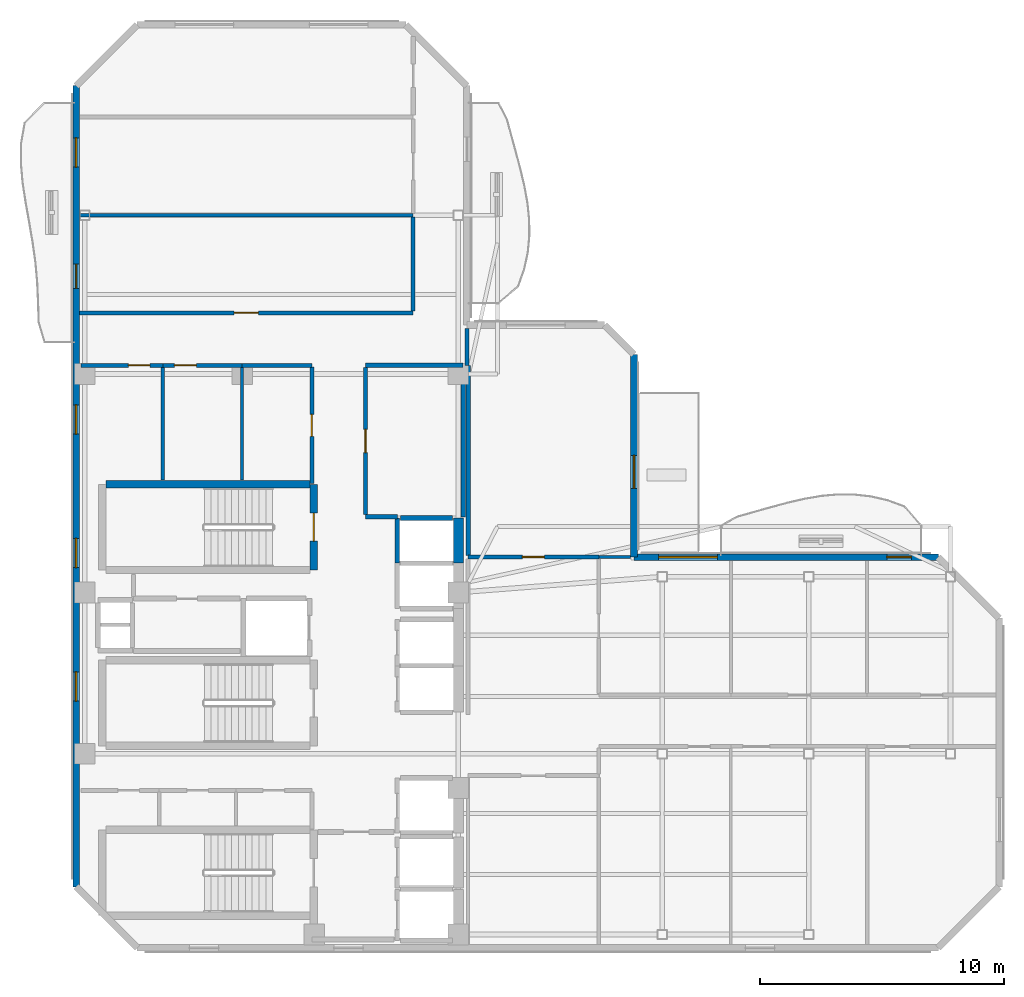
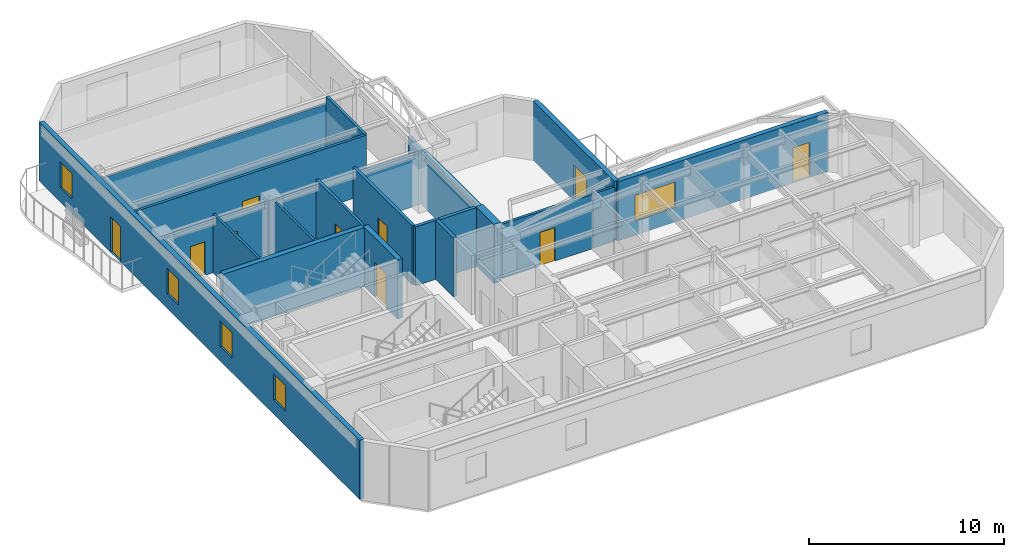
# One storey, part 4 of 8: 25 walls, 10 doors, 5 windows, 15 openings.
"""IFC4 building model written with IfcOpenShell, lengths in metres."""

from ifc_helpers import new_model, si_unit, direction, frame, frame_2d, origin, place, context, subcontext, project, spatial, rectangle, extrude, material, layer, layer_set, type_object, element, fill, save


model = new_model("IFC4")

# Units and contexts
model_context = context("Model", 3, precision=1e-05, world=origin(), true_north=direction((0.0, 1.0)))
body_context = subcontext(model_context, "Body", "Model", "MODEL_VIEW")
ifc_project = project(units=[si_unit("LENGTHUNIT", "METRE"), si_unit("AREAUNIT", "SQUARE_METRE"), si_unit("VOLUMEUNIT", "CUBIC_METRE"), si_unit("PLANEANGLEUNIT", "RADIAN"), si_unit("MASSUNIT", "GRAM", prefix="KILO")], contexts=[model_context])

# Site, building, storey
site_placement = place(None, origin())
site = spatial("IfcSite", under=ifc_project, at=site_placement, CompositionType="ELEMENT")
building_placement = place(site_placement, origin())
building = spatial("IfcBuilding", under=site, at=building_placement, Name="Mawjaban Terraces University", CompositionType="ELEMENT")
storey_placement = place(building_placement, frame((0.0, 0.0, 248.199951171875)))
storey = spatial("IfcBuildingStorey", under=building, at=storey_placement, Name="L60", CompositionType="ELEMENT", Elevation=248.199951171875)

# Walls
ifc_material_1 = material(Name="Acoustic masonry blockwork", Category="masonry")
ifc_layer_1 = layer(ifc_material_1, 0.179931640625)
ifc_layer_set_1 = layer_set([ifc_layer_1], Name="Acoustic masonry blockwork")
wall_type_1 = type_object("IfcWallType", Name="AcousticStudioWall_180", PredefinedType="PARTITIONING", material=ifc_layer_set_1)
wall_1_placement = place(storey_placement, frame((33.85009765625, 17.64990234375, 0.0), z_axis=(0.0, 0.0, 1.0), x_axis=(1.0, 0.0, 0.0)))
element("IfcWall", 1, at=wall_1_placement, inside=storey, type_object=wall_type_1, Name="L60 Graduate Research Collaboration Studio Partition 10", PredefinedType="PARTITIONING", context=body_context, shape_type="SweptSolid", body=[
    extrude(rectangle(XDim=1.2998046875, YDim=0.179931640625, at=frame_2d((0.64990234375, 0.0))), origin(), (0.0, 0.0, 1.0), 3.68994140625),
])
wall_2_placement = place(storey_placement, frame((37.85009765625, 23.85009765625, 0.0), z_axis=(0.0, 0.0, 1.0), x_axis=(-1.0, 0.0, 0.0)))
element("IfcWall", 2, at=wall_2_placement, inside=storey, type_object=wall_type_1, Name="L60 Graduate Research Collaboration Studio Partition 15", PredefinedType="PARTITIONING", context=body_context, shape_type="SweptSolid", body=[
    extrude(rectangle(XDim=4.0, YDim=0.179931640625, at=frame_2d((2.0, 0.0))), origin(), (0.0, 0.0, 1.0), 3.220947265625),
])

# Wall, opening, door
wall_3_placement = place(storey_placement, frame((33.85009765625, 17.735107421875, 0.0), z_axis=(0.0, 0.0, 1.0), x_axis=(0.0, 1.0, 0.0)))
wall_3 = element("IfcWall", 3, at=wall_3_placement, inside=storey, type_object=wall_type_1, Name="L60 Core North Lift Lobby Partition 32", PredefinedType="PARTITIONING", context=body_context, shape_type="SweptSolid", body=[
    extrude(rectangle(XDim=6.02978515625, YDim=0.179931640625, at=frame_2d((3.014892578125, 0.0))), origin(), (0.0, 0.0, 1.0), 3.68994140625),
])
opening_1_placement = place(wall_3_placement, frame((2.5400390625, 0.0, 0.0)))
opening_1 = element("IfcOpeningElement", 4, at=opening_1_placement, cuts=wall_3, Name="Opening ID-095", PredefinedType="OPENING", context=body_context, shape_type="SweptSolid", body=[
    extrude(rectangle(XDim=0.949951171875, YDim=2.10009765625, at=frame_2d((0.47509765625, 1.050048828125))), frame((0.0, 0.099853515625, 0.0), z_axis=(0.0, -1.0, 0.0), x_axis=(1.0, 0.0, 0.0)), (0.0, 0.0, 1.0), 0.199951171875),
])
ifc_material_2 = material(Name="Powder-coated steel frame and solid acoustic timber leaf", Category="steel")
door_type_1 = type_object("IfcDoorType", Name="StudioDoor_950x2100", OperationType="NOTDEFINED", PredefinedType="DOOR", material=ifc_material_2)
door_1_placement = place(opening_1_placement, origin())
door_1 = element("IfcDoor", 5, at=door_1_placement, inside=storey, type_object=door_type_1, Name="L60 Graduate Research Collaboration Studio Door", OperationType="SINGLE_SWING_RIGHT", OverallHeight=2.10009765625, OverallWidth=0.949951171875, PredefinedType="DOOR", context=body_context, shape_type="SweptSolid", body=[
    extrude(rectangle(XDim=0.949951171875, YDim=2.10009765625, at=frame_2d((0.47509765625, 1.050048828125))), frame((0.0, 0.02490234375, 0.0), z_axis=(0.0, -1.0, 0.0), x_axis=(1.0, 0.0, 0.0)), (0.0, 0.0, 1.0), 0.050048828125),
])
fill(opening_1, door_1)

# Walls
wall_4_placement = place(storey_placement, frame((37.85009765625, 17.64990234375, 0.0), z_axis=(0.0, 0.0, 1.0), x_axis=(0.0, 1.0, 0.0)))
element("IfcWall", 6, at=wall_4_placement, inside=storey, type_object=wall_type_1, Name="L60 Graduate Research Collaboration Studio Partition 36", PredefinedType="PARTITIONING", context=body_context, shape_type="SweptSolid", body=[
    extrude(rectangle(XDim=6.114990234375, YDim=0.179931640625, at=frame_2d((3.0576171875, 0.0))), origin(), (0.0, 0.0, 1.0), 3.220947265625),
])
wall_5_placement = place(storey_placement, frame((38.050048828125, 23.85009765625, 0.0), z_axis=(0.0, 0.0, 1.0), x_axis=(0.0, -1.0, 0.0)))
element("IfcWall", 7, at=wall_5_placement, inside=storey, type_object=wall_type_1, Name="L60 Terrace Collaborative Study Room Partition 40", PredefinedType="PARTITIONING", context=body_context, shape_type="SweptSolid", body=[
    extrude(rectangle(XDim=7.775146484375, YDim=0.179931640625, at=frame_2d((3.8876953125, 0.0))), origin(), (0.0, 0.0, 1.0), 3.220947265625),
])
ifc_material_3 = material(Name="Concrete C50/60", Category="concrete")
ifc_layer_2 = layer(ifc_material_3, 0.419921875)
ifc_layer_set_2 = layer_set([ifc_layer_2], Name="Concrete C50/60")
wall_type_2 = type_object("IfcWallType", Name="CoreShearWall_420", PredefinedType="SHEAR", material=ifc_layer_set_2)
wall_6_placement = place(storey_placement, frame((37.659912109375, 15.75, 0.0), z_axis=(0.0, 0.0, 1.0), x_axis=(0.0, 1.0, 0.0)))
element("IfcWall", 8, at=wall_6_placement, inside=storey, type_object=wall_type_2, Name="L60 Lift OL-2 Hoistway Wall East", PredefinedType="SHEAR", context=body_context, shape_type="SweptSolid", body=[
    extrude(rectangle(XDim=1.85009765625, YDim=0.419921875, at=frame_2d((0.925048828125, 0.0))), origin(), (0.0, 0.0, 1.0), 3.68994140625),
])

# Wall, opening, door
ifc_material_4 = material(Name="Fire-rated gypsum board on steel stud", Category="steel")
ifc_layer_3 = layer(ifc_material_4, 0.159912109375)
ifc_layer_set_3 = layer_set([ifc_layer_3], Name="Fire-rated gypsum board on steel stud")
wall_type_3 = type_object("IfcWallType", Name="CorridorPartition_160", PredefinedType="PARTITIONING", material=ifc_layer_set_3)
wall_7_placement = place(storey_placement, frame((25.550048828125, 23.85009765625, 0.0), z_axis=(0.0, 0.0, 1.0), x_axis=(-1.0, 0.0, 0.0)))
wall_7 = element("IfcWall", 9, at=wall_7_placement, inside=storey, type_object=wall_type_3, Name="L60 Ablution Room Partition 5", PredefinedType="PARTITIONING", context=body_context, shape_type="SweptSolid", body=[
    extrude(rectangle(XDim=3.35009765625, YDim=0.159912109375, at=frame_2d((1.675048828125, 0.0))), origin(), (0.0, 0.0, 1.0), 3.220947265625),
])
opening_2_placement = place(wall_7_placement, frame((0.534912109375, 0.0, 0.0)))
opening_2 = element("IfcOpeningElement", 10, at=opening_2_placement, cuts=wall_7, Name="Opening ID-088", PredefinedType="OPENING", context=body_context, shape_type="SweptSolid", body=[
    extrude(rectangle(XDim=0.8798828125, YDim=2.10009765625, at=frame_2d((0.43994140625, 1.050048828125))), frame((0.0, 0.08984375, 0.0), z_axis=(0.0, -1.0, 0.0), x_axis=(1.0, 0.0, 0.0)), (0.0, 0.0, 1.0), 0.179931640625),
])
door_type_2 = type_object("IfcDoorType", Name="ToiletDoor_880x2100", OperationType="NOTDEFINED", PredefinedType="DOOR", material=ifc_material_2)
door_2_placement = place(opening_2_placement, origin())
door_2 = element("IfcDoor", 11, at=door_2_placement, inside=storey, type_object=door_type_2, Name="L60 Ablution Room Door", OperationType="SINGLE_SWING_RIGHT", OverallHeight=2.10009765625, OverallWidth=0.8798828125, PredefinedType="DOOR", context=body_context, shape_type="SweptSolid", body=[
    extrude(rectangle(XDim=0.8798828125, YDim=2.10009765625, at=frame_2d((0.43994140625, 1.050048828125))), frame((0.0, 0.02490234375, 0.0), z_axis=(0.0, -1.0, 0.0), x_axis=(1.0, 0.0, 0.0)), (0.0, 0.0, 1.0), 0.050048828125),
])
fill(opening_2, door_2)

wall_8_placement = place(storey_placement, frame((28.800048828125, 23.85009765625, 0.0), z_axis=(0.0, 0.0, 1.0), x_axis=(-1.0, 0.0, 0.0)))
wall_8 = element("IfcWall", 12, at=wall_8_placement, inside=storey, type_object=wall_type_3, Name="L60 Cleaner Store Partition 7", PredefinedType="PARTITIONING", context=body_context, shape_type="SweptSolid", body=[
    extrude(rectangle(XDim=3.25, YDim=0.159912109375, at=frame_2d((1.625, 0.0))), origin(), (0.0, 0.0, 1.0), 3.220947265625),
])
opening_3_placement = place(wall_8_placement, frame((1.875, 0.0, 0.0)))
opening_3 = element("IfcOpeningElement", 13, at=opening_3_placement, cuts=wall_8, Name="Opening ID-090", PredefinedType="OPENING", context=body_context, shape_type="SweptSolid", body=[
    extrude(rectangle(XDim=0.89990234375, YDim=2.10009765625, at=frame_2d((0.449951171875, 1.050048828125))), frame((0.0, 0.08984375, 0.0), z_axis=(0.0, -1.0, 0.0), x_axis=(1.0, 0.0, 0.0)), (0.0, 0.0, 1.0), 0.179931640625),
])
door_type_3 = type_object("IfcDoorType", Name="OfficeDoor_900x2100", OperationType="NOTDEFINED", PredefinedType="DOOR", material=ifc_material_2)
door_3_placement = place(opening_3_placement, origin())
door_3 = element("IfcDoor", 14, at=door_3_placement, inside=storey, type_object=door_type_3, Name="L60 Cleaner Store Door", OperationType="SINGLE_SWING_LEFT", OverallHeight=2.10009765625, OverallWidth=0.89990234375, PredefinedType="DOOR", context=body_context, shape_type="SweptSolid", body=[
    extrude(rectangle(XDim=0.89990234375, YDim=2.10009765625, at=frame_2d((0.449951171875, 1.050048828125))), frame((0.0, 0.02490234375, 0.0), z_axis=(0.0, -1.0, 0.0), x_axis=(1.0, 0.0, 0.0)), (0.0, 0.0, 1.0), 0.050048828125),
])
fill(opening_3, door_3)

# Wall
wall_9_placement = place(storey_placement, frame((31.64990234375, 23.85009765625, 0.0), z_axis=(0.0, 0.0, 1.0), x_axis=(-1.0, 0.0, 0.0)))
element("IfcWall", 15, at=wall_9_placement, inside=storey, type_object=wall_type_3, Name="L60 Faculty Academic Resource Office Partition 9", PredefinedType="PARTITIONING", context=body_context, shape_type="SweptSolid", body=[
    extrude(rectangle(XDim=2.849853515625, YDim=0.159912109375, at=frame_2d((1.4248046875, 0.0))), origin(), (0.0, 0.0, 1.0), 3.220947265625),
])

# Wall, opening, door
wall_10_placement = place(storey_placement, frame((35.800048828125, 26.0, 0.0), z_axis=(0.0, 0.0, 1.0), x_axis=(-1.0, 0.0, 0.0)))
wall_10 = element("IfcWall", 16, at=wall_10_placement, inside=storey, type_object=wall_type_3, Name="L60 North Core Cross-Corridor Partition 12", PredefinedType="PARTITIONING", context=body_context, shape_type="SweptSolid", body=[
    extrude(rectangle(XDim=13.6669921875, YDim=0.159912109375, at=frame_2d((6.83349609375, 0.0))), origin(), (0.0, 0.0, 1.0), 3.68994140625),
])
opening_4_placement = place(wall_10_placement, frame((6.3330078125, 0.0, 0.0)))
opening_4 = element("IfcOpeningElement", 17, at=opening_4_placement, cuts=wall_10, Name="Opening ID-100", PredefinedType="OPENING", context=body_context, shape_type="SweptSolid", body=[
    extrude(rectangle(XDim=1.0, YDim=2.10009765625, at=frame_2d((0.5, 1.050048828125))), frame((0.0, 0.08984375, 0.0), z_axis=(0.0, -1.0, 0.0), x_axis=(1.0, 0.0, 0.0)), (0.0, 0.0, 1.0), 0.179931640625),
])
door_type_4 = type_object("IfcDoorType", Name="ClassroomDoor_1000x2100", OperationType="NOTDEFINED", PredefinedType="DOOR", material=ifc_material_2)
door_4_placement = place(opening_4_placement, origin())
door_4 = element("IfcDoor", 18, at=door_4_placement, inside=storey, type_object=door_type_4, Name="L60 Classroom 8 Door", OperationType="SINGLE_SWING_LEFT", OverallHeight=2.10009765625, OverallWidth=1.0, PredefinedType="DOOR", context=body_context, shape_type="SweptSolid", body=[
    extrude(rectangle(XDim=1.0, YDim=2.10009765625, at=frame_2d((0.5, 1.050048828125))), frame((0.0, 0.02490234375, 0.0), z_axis=(0.0, -1.0, 0.0), x_axis=(1.0, 0.0, 0.0)), (0.0, 0.0, 1.0), 0.050048828125),
])
fill(opening_4, door_4)

wall_11_placement = place(storey_placement, frame((43.39990234375, 16.0, 0.0), z_axis=(0.0, 0.0, 1.0), x_axis=(-1.0, 0.0, 0.0)))
wall_11 = element("IfcWall", 19, at=wall_11_placement, inside=storey, type_object=wall_type_3, Name="L60 Upper Research Hub Concourse Partition 18", PredefinedType="PARTITIONING", context=body_context, shape_type="SweptSolid", body=[
    extrude(rectangle(XDim=5.349853515625, YDim=0.159912109375, at=frame_2d((2.6748046875, 0.0))), origin(), (0.0, 0.0, 1.0), 3.39013671875),
])
opening_5_placement = place(wall_11_placement, frame((2.22509765625, 0.0, 0.0)))
opening_5 = element("IfcOpeningElement", 20, at=opening_5_placement, cuts=wall_11, Name="Opening ID-090", PredefinedType="OPENING", context=body_context, shape_type="SweptSolid", body=[
    extrude(rectangle(XDim=0.89990234375, YDim=2.10009765625, at=frame_2d((0.449951171875, 1.050048828125))), frame((0.0, 0.08984375, 0.0), z_axis=(0.0, -1.0, 0.0), x_axis=(1.0, 0.0, 0.0)), (0.0, 0.0, 1.0), 0.179931640625),
])
door_5_placement = place(opening_5_placement, origin())
door_5 = element("IfcDoor", 21, at=door_5_placement, inside=storey, type_object=door_type_3, Name="L60 Terrace Collaborative Study Room Door", OperationType="SINGLE_SWING_RIGHT", OverallHeight=2.10009765625, OverallWidth=0.89990234375, PredefinedType="DOOR", context=body_context, shape_type="SweptSolid", body=[
    extrude(rectangle(XDim=0.89990234375, YDim=2.10009765625, at=frame_2d((0.449951171875, 1.050048828125))), frame((0.0, 0.02490234375, 0.0), z_axis=(0.0, -1.0, 0.0), x_axis=(1.0, 0.0, 0.0)), (0.0, 0.0, 1.0), 0.050048828125),
])
fill(opening_5, door_5)

wall_12_placement = place(storey_placement, frame((31.64990234375, 19.010009765625, 0.0), z_axis=(0.0, 0.0, 1.0), x_axis=(0.0, 1.0, 0.0)))
wall_12 = element("IfcWall", 22, at=wall_12_placement, inside=storey, type_object=wall_type_3, Name="L60 Faculty Academic Resource Office Partition 31", PredefinedType="PARTITIONING", context=body_context, shape_type="SweptSolid", body=[
    extrude(rectangle(XDim=4.764892578125, YDim=0.159912109375, at=frame_2d((2.38232421875, 0.0))), origin(), (0.0, 0.0, 1.0), 3.68994140625),
])
opening_6_placement = place(wall_12_placement, frame((1.931884765625, 0.0, 0.0)))
opening_6 = element("IfcOpeningElement", 23, at=opening_6_placement, cuts=wall_12, Name="Opening ID-090", PredefinedType="OPENING", context=body_context, shape_type="SweptSolid", body=[
    extrude(rectangle(XDim=0.89990234375, YDim=2.10009765625, at=frame_2d((0.449951171875, 1.050048828125))), frame((0.0, 0.08984375, 0.0), z_axis=(0.0, -1.0, 0.0), x_axis=(1.0, 0.0, 0.0)), (0.0, 0.0, 1.0), 0.179931640625),
])
door_6_placement = place(opening_6_placement, origin())
door_6 = element("IfcDoor", 24, at=door_6_placement, inside=storey, type_object=door_type_3, Name="L60 Faculty Academic Resource Office Door", OperationType="SINGLE_SWING_LEFT", OverallHeight=2.10009765625, OverallWidth=0.89990234375, PredefinedType="DOOR", context=body_context, shape_type="SweptSolid", body=[
    extrude(rectangle(XDim=0.89990234375, YDim=2.10009765625, at=frame_2d((0.449951171875, 1.050048828125))), frame((0.0, 0.02490234375, 0.0), z_axis=(0.0, -1.0, 0.0), x_axis=(1.0, 0.0, 0.0)), (0.0, 0.0, 1.0), 0.050048828125),
])
fill(opening_6, door_6)

# Walls
wall_13_placement = place(storey_placement, frame((35.800048828125, 29.93310546875, 0.0), z_axis=(0.0, 0.0, 1.0), x_axis=(0.0, -1.0, 0.0)))
element("IfcWall", 25, at=wall_13_placement, inside=storey, type_object=wall_type_3, Name="L60 Upper North Research Gallery Partition 33", PredefinedType="PARTITIONING", context=body_context, shape_type="SweptSolid", body=[
    extrude(rectangle(XDim=3.858154296875, YDim=0.159912109375, at=frame_2d((1.92919921875, 0.0))), origin(), (0.0, 0.0, 1.0), 3.68994140625),
])
wall_14_placement = place(storey_placement, frame((38.0, 23.85009765625, 0.0), z_axis=(0.0, 0.0, 1.0), x_axis=(0.0, 1.0, 0.0)))
element("IfcWall", 26, at=wall_14_placement, inside=storey, type_object=wall_type_3, Name="L60 North Core Cross-Corridor Partition 37", PredefinedType="PARTITIONING", context=body_context, shape_type="SweptSolid", body=[
    extrude(rectangle(XDim=1.516845703125, YDim=0.159912109375, at=frame_2d((0.75830078125, 0.0))), origin(), (0.0, 0.0, 1.0), 3.220947265625),
])

# Wall, openings, door, window
ifc_material_5 = material(Name="Insulated terracotta rainscreen on concrete backup C40/50", Category="masonry")
ifc_layer_4 = layer(ifc_material_5, 0.27490234375)
ifc_layer_set_4 = layer_set([ifc_layer_4], Name="Insulated terracotta rainscreen on concrete backup C40/50")
wall_type_4 = type_object("IfcWallType", Name="ExtTerracottaWall_275", PredefinedType="SOLIDWALL", material=ifc_layer_set_4)
wall_15_placement = place(storey_placement, frame((57.300048828125, 16.0, 0.0), z_axis=(0.0, 0.0, 1.0), x_axis=(-1.0, 0.0, 0.0)))
wall_15 = element("IfcWall", 27, at=wall_15_placement, inside=storey, type_object=wall_type_4, Name="L60 Exterior Terracotta Wall 5", PredefinedType="SOLIDWALL", context=body_context, shape_type="SweptSolid", body=[
    extrude(rectangle(XDim=12.4599609375, YDim=0.27490234375, at=frame_2d((6.22998046875, 0.0))), origin(), (0.0, 0.0, 1.0), 3.68994140625),
])
opening_7_placement = place(wall_15_placement, frame((1.10009765625, 0.0, 0.0)))
opening_7 = element("IfcOpeningElement", 28, at=opening_7_placement, cuts=wall_15, Name="Opening BD-100", PredefinedType="OPENING", context=body_context, shape_type="SweptSolid", body=[
    extrude(rectangle(XDim=1.0, YDim=2.199951171875, at=frame_2d((0.5, 1.10009765625))), frame((0.0, 0.1474609375, 0.0), z_axis=(0.0, -1.0, 0.0), x_axis=(1.0, 0.0, 0.0)), (0.0, 0.0, 1.0), 0.294921875),
])
opening_8_placement = place(wall_15_placement, frame((9.044921875, 0.0, 0.89990234375)))
opening_8 = element("IfcOpeningElement", 29, at=opening_8_placement, cuts=wall_15, Name="Opening W-05", PredefinedType="OPENING", context=body_context, shape_type="SweptSolid", body=[
    extrude(rectangle(XDim=2.39990234375, YDim=1.60009765625, at=frame_2d((1.199951171875, 0.800048828125))), frame((0.0, 0.1474609375, 0.0), z_axis=(0.0, -1.0, 0.0), x_axis=(1.0, 0.0, 0.0)), (0.0, 0.0, 1.0), 0.294921875),
])
ifc_material_6 = material(Name="Thermally broken anodised aluminium and laminated safety glass", Category="aluminium")
door_type_5 = type_object("IfcDoorType", Name="BalconyGlazedDoor_1000x2200", OperationType="NOTDEFINED", PredefinedType="DOOR", material=ifc_material_6)
door_7_placement = place(opening_7_placement, origin())
door_7 = element("IfcDoor", 30, at=door_7_placement, inside=storey, type_object=door_type_5, Name="L60 Balcony Access Door inner_north", OperationType="SINGLE_SWING_LEFT", OverallHeight=2.199951171875, OverallWidth=1.0, PredefinedType="DOOR", context=body_context, shape_type="SweptSolid", body=[
    extrude(rectangle(XDim=1.0, YDim=2.199951171875, at=frame_2d((0.5, 1.10009765625))), frame((0.0, 0.02490234375, 0.0), z_axis=(0.0, -1.0, 0.0), x_axis=(1.0, 0.0, 0.0)), (0.0, 0.0, 1.0), 0.050048828125),
])
fill(opening_7, door_7)
ifc_material_7 = material(Name="Low-E solar-control double glazing in thermally broken aluminium frame", Category="aluminium")
window_type_1 = type_object("IfcWindowType", Name="Win_2400x1600", PartitioningType="SINGLE_PANEL", PredefinedType="WINDOW", material=ifc_material_7)
window_1_placement = place(opening_8_placement, origin())
window_1 = element("IfcWindow", 31, at=window_1_placement, inside=storey, type_object=window_type_1, Name="L60 Facade Window 5.2", OverallHeight=1.60009765625, OverallWidth=2.39990234375, PartitioningType="SINGLE_PANEL", PredefinedType="WINDOW", context=body_context, shape_type="SweptSolid", body=[
    extrude(rectangle(XDim=2.39990234375, YDim=1.60009765625, at=frame_2d((1.199951171875, 0.800048828125))), frame((0.0, 0.030029296875, 0.0), z_axis=(0.0, -1.0, 0.0), x_axis=(1.0, 0.0, 0.0)), (0.0, 0.0, 1.0), 0.06005859375),
])
fill(opening_8, window_1)

# Wall, opening, door
wall_16_placement = place(storey_placement, frame((44.840087890625, 16.0, 0.0), z_axis=(0.0, 0.0, 1.0), x_axis=(0.0, 1.0, 0.0)))
wall_16 = element("IfcWall", 32, at=wall_16_placement, inside=storey, type_object=wall_type_4, Name="L60 Exterior Terracotta Wall 6", PredefinedType="SOLIDWALL", context=body_context, shape_type="SweptSolid", body=[
    extrude(rectangle(XDim=8.300048828125, YDim=0.27490234375, at=frame_2d((4.14990234375, 0.0))), origin(), (0.0, 0.0, 1.0), 3.68994140625),
])
opening_9_placement = place(wall_16_placement, frame((2.81298828125, 0.0, 0.0)))
opening_9 = element("IfcOpeningElement", 33, at=opening_9_placement, cuts=wall_16, Name="Opening TD-135", PredefinedType="OPENING", context=body_context, shape_type="SweptSolid", body=[
    extrude(rectangle(XDim=1.35009765625, YDim=2.199951171875, at=frame_2d((0.675048828125, 1.10009765625))), frame((0.0, 0.1474609375, 0.0), z_axis=(0.0, -1.0, 0.0), x_axis=(1.0, 0.0, 0.0)), (0.0, 0.0, 1.0), 0.294921875),
])
door_type_6 = type_object("IfcDoorType", Name="TerraceGlazedDoor_1350x2200", OperationType="NOTDEFINED", PredefinedType="DOOR", material=ifc_material_6)
door_8_placement = place(opening_9_placement, origin())
door_8 = element("IfcDoor", 34, at=door_8_placement, inside=storey, type_object=door_type_6, Name="L60 Terrace Access Door TER-L60-CLIMB", OperationType="SINGLE_SWING_RIGHT", OverallHeight=2.199951171875, OverallWidth=1.35009765625, PredefinedType="DOOR", context=body_context, shape_type="SweptSolid", body=[
    extrude(rectangle(XDim=1.35009765625, YDim=2.199951171875, at=frame_2d((0.675048828125, 1.10009765625))), frame((0.0, 0.02490234375, 0.0), z_axis=(0.0, -1.0, 0.0), x_axis=(1.0, 0.0, 0.0)), (0.0, 0.0, 1.0), 0.050048828125),
])
fill(opening_9, door_8)

# Wall, openings, door, windows
wall_17_placement = place(storey_placement, frame((22.0, 35.300048828125, 0.0), z_axis=(0.0, 0.0, 1.0), x_axis=(0.0, -1.0, 0.0)))
wall_17 = element("IfcWall", 35, at=wall_17_placement, inside=storey, type_object=wall_type_4, Name="L60 Exterior Terracotta Wall 13", PredefinedType="SOLIDWALL", context=body_context, shape_type="SweptSolid", body=[
    extrude(rectangle(XDim=32.800048828125, YDim=0.27490234375, at=frame_2d((16.39990234375, 0.0))), origin(), (0.0, 0.0, 1.0), 3.68994140625),
])
opening_10_placement = place(wall_17_placement, frame((7.300048828125, 0.0, 0.0)))
opening_10 = element("IfcOpeningElement", 36, at=opening_10_placement, cuts=wall_17, Name="Opening BD-100", PredefinedType="OPENING", context=body_context, shape_type="SweptSolid", body=[
    extrude(rectangle(XDim=1.0, YDim=2.199951171875, at=frame_2d((0.5, 1.10009765625))), frame((0.0, 0.1474609375, 0.0), z_axis=(0.0, -1.0, 0.0), x_axis=(1.0, 0.0, 0.0)), (0.0, 0.0, 1.0), 0.294921875),
])
opening_11_placement = place(wall_17_placement, frame((2.133056640625, 0.0, 0.89990234375)))
opening_11 = element("IfcOpeningElement", 37, at=opening_11_placement, cuts=wall_17, Name="Opening W-01", PredefinedType="OPENING", context=body_context, shape_type="SweptSolid", body=[
    extrude(rectangle(XDim=1.199951171875, YDim=1.60009765625, at=frame_2d((0.60009765625, 0.800048828125))), frame((0.0, 0.1474609375, 0.0), z_axis=(0.0, -1.0, 0.0), x_axis=(1.0, 0.0, 0.0)), (0.0, 0.0, 1.0), 0.294921875),
])
opening_12_placement = place(wall_17_placement, frame((13.06689453125, 0.0, 0.89990234375)))
opening_12 = element("IfcOpeningElement", 38, at=opening_12_placement, cuts=wall_17, Name="Opening W-01", PredefinedType="OPENING", context=body_context, shape_type="SweptSolid", body=[
    extrude(rectangle(XDim=1.199951171875, YDim=1.60009765625, at=frame_2d((0.60009765625, 0.800048828125))), frame((0.0, 0.1474609375, 0.0), z_axis=(0.0, -1.0, 0.0), x_axis=(1.0, 0.0, 0.0)), (0.0, 0.0, 1.0), 0.294921875),
])
opening_13_placement = place(wall_17_placement, frame((18.532958984375, 0.0, 0.89990234375)))
opening_13 = element("IfcOpeningElement", 39, at=opening_13_placement, cuts=wall_17, Name="Opening W-01", PredefinedType="OPENING", context=body_context, shape_type="SweptSolid", body=[
    extrude(rectangle(XDim=1.199951171875, YDim=1.60009765625, at=frame_2d((0.60009765625, 0.800048828125))), frame((0.0, 0.1474609375, 0.0), z_axis=(0.0, -1.0, 0.0), x_axis=(1.0, 0.0, 0.0)), (0.0, 0.0, 1.0), 0.294921875),
])
opening_14_placement = place(wall_17_placement, frame((24.0, 0.0, 0.89990234375)))
opening_14 = element("IfcOpeningElement", 40, at=opening_14_placement, cuts=wall_17, Name="Opening W-01", PredefinedType="OPENING", context=body_context, shape_type="SweptSolid", body=[
    extrude(rectangle(XDim=1.199951171875, YDim=1.60009765625, at=frame_2d((0.60009765625, 0.800048828125))), frame((0.0, 0.1474609375, 0.0), z_axis=(0.0, -1.0, 0.0), x_axis=(1.0, 0.0, 0.0)), (0.0, 0.0, 1.0), 0.294921875),
])
door_9_placement = place(opening_10_placement, origin())
door_9 = element("IfcDoor", 41, at=door_9_placement, inside=storey, type_object=door_type_5, Name="L60 Balcony Access Door west", OperationType="SINGLE_SWING_LEFT", OverallHeight=2.199951171875, OverallWidth=1.0, PredefinedType="DOOR", context=body_context, shape_type="SweptSolid", body=[
    extrude(rectangle(XDim=1.0, YDim=2.199951171875, at=frame_2d((0.5, 1.10009765625))), frame((0.0, 0.02490234375, 0.0), z_axis=(0.0, -1.0, 0.0), x_axis=(1.0, 0.0, 0.0)), (0.0, 0.0, 1.0), 0.050048828125),
])
fill(opening_10, door_9)
window_type_2 = type_object("IfcWindowType", Name="Win_1200x1600", PartitioningType="SINGLE_PANEL", PredefinedType="WINDOW", material=ifc_material_7)
window_2_placement = place(opening_11_placement, origin())
window_2 = element("IfcWindow", 42, at=window_2_placement, inside=storey, type_object=window_type_2, Name="L60 Facade Window 13.1", OverallHeight=1.60009765625, OverallWidth=1.199951171875, PartitioningType="SINGLE_PANEL", PredefinedType="WINDOW", context=body_context, shape_type="SweptSolid", body=[
    extrude(rectangle(XDim=1.199951171875, YDim=1.60009765625, at=frame_2d((0.60009765625, 0.800048828125))), frame((0.0, 0.030029296875, 0.0), z_axis=(0.0, -1.0, 0.0), x_axis=(1.0, 0.0, 0.0)), (0.0, 0.0, 1.0), 0.06005859375),
])
fill(opening_11, window_2)
window_3_placement = place(opening_12_placement, origin())
window_3 = element("IfcWindow", 43, at=window_3_placement, inside=storey, type_object=window_type_2, Name="L60 Facade Window 13.3", OverallHeight=1.60009765625, OverallWidth=1.199951171875, PartitioningType="SINGLE_PANEL", PredefinedType="WINDOW", context=body_context, shape_type="SweptSolid", body=[
    extrude(rectangle(XDim=1.199951171875, YDim=1.60009765625, at=frame_2d((0.60009765625, 0.800048828125))), frame((0.0, 0.030029296875, 0.0), z_axis=(0.0, -1.0, 0.0), x_axis=(1.0, 0.0, 0.0)), (0.0, 0.0, 1.0), 0.06005859375),
])
fill(opening_12, window_3)
window_4_placement = place(opening_13_placement, origin())
window_4 = element("IfcWindow", 44, at=window_4_placement, inside=storey, type_object=window_type_2, Name="L60 Facade Window 13.4", OverallHeight=1.60009765625, OverallWidth=1.199951171875, PartitioningType="SINGLE_PANEL", PredefinedType="WINDOW", context=body_context, shape_type="SweptSolid", body=[
    extrude(rectangle(XDim=1.199951171875, YDim=1.60009765625, at=frame_2d((0.60009765625, 0.800048828125))), frame((0.0, 0.030029296875, 0.0), z_axis=(0.0, -1.0, 0.0), x_axis=(1.0, 0.0, 0.0)), (0.0, 0.0, 1.0), 0.06005859375),
])
fill(opening_13, window_4)
window_5_placement = place(opening_14_placement, origin())
window_5 = element("IfcWindow", 45, at=window_5_placement, inside=storey, type_object=window_type_2, Name="L60 Facade Window 13.5", OverallHeight=1.60009765625, OverallWidth=1.199951171875, PartitioningType="SINGLE_PANEL", PredefinedType="WINDOW", context=body_context, shape_type="SweptSolid", body=[
    extrude(rectangle(XDim=1.199951171875, YDim=1.60009765625, at=frame_2d((0.60009765625, 0.800048828125))), frame((0.0, 0.030029296875, 0.0), z_axis=(0.0, -1.0, 0.0), x_axis=(1.0, 0.0, 0.0)), (0.0, 0.0, 1.0), 0.06005859375),
])
fill(opening_14, window_5)

# Walls
ifc_material_8 = material(Name="Concrete C40/50", Category="concrete")
ifc_layer_5 = layer(ifc_material_8, 0.199951171875)
ifc_layer_set_5 = layer_set([ifc_layer_5], Name="Concrete C40/50")
wall_type_5 = type_object("IfcWallType", Name="FireLobbyWall_200", PredefinedType="SOLIDWALL", material=ifc_layer_set_5)
wall_18_placement = place(storey_placement, frame((35.14990234375, 17.60009765625, 0.0), z_axis=(0.0, 0.0, 1.0), x_axis=(0.0, -1.0, 0.0)))
element("IfcWall", 46, at=wall_18_placement, inside=storey, type_object=wall_type_5, Name="L60 Lift OL-2 Hoistway Wall West", PredefinedType="SOLIDWALL", context=body_context, shape_type="SweptSolid", body=[
    extrude(rectangle(XDim=1.85009765625, YDim=0.199951171875, at=frame_2d((0.925048828125, 0.0))), origin(), (0.0, 0.0, 1.0), 3.68994140625),
])
wall_19_placement = place(storey_placement, frame((37.419921875, 17.60009765625, 0.0), z_axis=(0.0, 0.0, 1.0), x_axis=(-1.0, 0.0, 0.0)))
element("IfcWall", 47, at=wall_19_placement, inside=storey, type_object=wall_type_5, Name="L60 Lift OL-2 Hoistway Wall North", PredefinedType="SOLIDWALL", context=body_context, shape_type="SweptSolid", body=[
    extrude(rectangle(XDim=2.139892578125, YDim=0.199951171875, at=frame_2d((1.06982421875, 0.0))), origin(), (0.0, 0.0, 1.0), 3.68994140625),
])
ifc_material_9 = material(Name="Moisture-resistant gypsum board on steel stud", Category="steel")
ifc_layer_6 = layer(ifc_material_9, 0.14501953125)
ifc_layer_set_6 = layer_set([ifc_layer_6], Name="Moisture-resistant gypsum board on steel stud")
wall_type_6 = type_object("IfcWallType", Name="LabPartition_145", PredefinedType="PARTITIONING", material=ifc_layer_set_6)
wall_20_placement = place(storey_placement, frame((35.800048828125, 30.0, 0.0), z_axis=(0.0, 0.0, 1.0), x_axis=(-1.0, 0.0, 0.0)))
element("IfcWall", 48, at=wall_20_placement, inside=storey, type_object=wall_type_6, Name="L60 Classroom 8 Partition 13", PredefinedType="PARTITIONING", context=body_context, shape_type="SweptSolid", body=[
    extrude(rectangle(XDim=13.6669921875, YDim=0.14501953125, at=frame_2d((6.83349609375, 0.0))), origin(), (0.0, 0.0, 1.0), 3.220947265625),
])
ifc_material_10 = material(Name="Gypsum plasterboard on steel stud", Category="steel")
ifc_layer_7 = layer(ifc_material_10, 0.125)
ifc_layer_set_7 = layer_set([ifc_layer_7], Name="Gypsum plasterboard on steel stud")
wall_type_7 = type_object("IfcWallType", Name="OfficePartition_125", PredefinedType="PARTITIONING", material=ifc_layer_set_7)
wall_21_placement = place(storey_placement, frame((43.39990234375, 16.0, 0.0), z_axis=(0.0, 0.0, 1.0), x_axis=(1.0, 0.0, 0.0)))
element("IfcWall", 49, at=wall_21_placement, inside=storey, type_object=wall_type_7, Name="L60 Terrace Collaborative Study Room Partition 19", PredefinedType="PARTITIONING", context=body_context, shape_type="SweptSolid", body=[
    extrude(rectangle(XDim=1.30810546875, YDim=0.125, at=frame_2d((0.654052734375, 0.0))), origin(), (0.0, 0.0, 1.0), 3.39013671875),
])
wall_22_placement = place(storey_placement, frame((28.800048828125, 23.77490234375, 0.0), z_axis=(0.0, 0.0, 1.0), x_axis=(0.0, -1.0, 0.0)))
element("IfcWall", 50, at=wall_22_placement, inside=storey, type_object=wall_type_7, Name="L60 Faculty Academic Resource Office Partition 29", PredefinedType="PARTITIONING", context=body_context, shape_type="SweptSolid", body=[
    extrude(rectangle(XDim=4.614990234375, YDim=0.125, at=frame_2d((2.3076171875, 0.0))), origin(), (0.0, 0.0, 1.0), 3.68994140625),
])
ifc_material_11 = material(Name="Concrete C60/75", Category="concrete")
ifc_layer_8 = layer(ifc_material_11, 0.300048828125)
ifc_layer_set_8 = layer_set([ifc_layer_8], Name="Concrete C60/75")
wall_type_8 = type_object("IfcWallType", Name="StairShaftWall_300", PredefinedType="SHEAR", material=ifc_layer_set_8)
wall_23_placement = place(storey_placement, frame((31.580078125, 18.97998046875, 0.0), z_axis=(0.0, 0.0, 1.0), x_axis=(-1.0, 0.0, 0.0)))
element("IfcWall", 51, at=wall_23_placement, inside=storey, type_object=wall_type_8, Name="L60 ST-2 Stair Shaft Wall 1", PredefinedType="SHEAR", context=body_context, shape_type="SweptSolid", body=[
    extrude(rectangle(XDim=8.360107421875, YDim=0.300048828125, at=frame_2d((4.18017578125, 0.0))), origin(), (0.0, 0.0, 1.0), 3.68994140625),
])

# Wall, opening, door
wall_24_placement = place(storey_placement, frame((31.72998046875, 15.469970703125, 0.0), z_axis=(0.0, 0.0, 1.0), x_axis=(0.0, 1.0, 0.0)))
wall_24 = element("IfcWall", 52, at=wall_24_placement, inside=storey, type_object=wall_type_8, Name="L60 ST-2 Stair Shaft Wall 4", PredefinedType="SHEAR", context=body_context, shape_type="SweptSolid", body=[
    extrude(rectangle(XDim=3.510009765625, YDim=0.300048828125, at=frame_2d((1.7548828125, 0.0))), origin(), (0.0, 0.0, 1.0), 3.68994140625),
])
opening_15_placement = place(wall_24_placement, frame((1.179931640625, 0.0, 0.0)))
opening_15 = element("IfcOpeningElement", 53, at=opening_15_placement, cuts=wall_24, Name="Opening FD-115", PredefinedType="OPENING", context=body_context, shape_type="SweptSolid", body=[
    extrude(rectangle(XDim=1.14990234375, YDim=2.14990234375, at=frame_2d((0.574951171875, 1.074951171875))), frame((0.0, 0.159912109375, 0.0), z_axis=(0.0, -1.0, 0.0), x_axis=(1.0, 0.0, 0.0)), (0.0, 0.0, 1.0), 0.320068359375),
])
ifc_material_12 = material(Name="Powder-coated steel frame and fire-rated steel-faced leaf", Category="steel")
door_type_7 = type_object("IfcDoorType", Name="FireStairDoor_1150x2150", OperationType="NOTDEFINED", PredefinedType="DOOR", material=ifc_material_12)
door_10_placement = place(opening_15_placement, origin())
door_10 = element("IfcDoor", 54, at=door_10_placement, inside=storey, type_object=door_type_7, Name="L60 ST-2 Pressurised Stair Fire Door", OperationType="SINGLE_SWING_LEFT", OverallHeight=2.14990234375, OverallWidth=1.14990234375, PredefinedType="DOOR", context=body_context, shape_type="SweptSolid", body=[
    extrude(rectangle(XDim=1.14990234375, YDim=2.14990234375, at=frame_2d((0.574951171875, 1.074951171875))), frame((0.0, 0.02490234375, 0.0), z_axis=(0.0, -1.0, 0.0), x_axis=(1.0, 0.0, 0.0)), (0.0, 0.0, 1.0), 0.050048828125),
])
fill(opening_15, door_10)

# Wall
ifc_material_13 = material(Name="Cement-board wet-room partition", Category="masonry")
ifc_layer_9 = layer(ifc_material_13, 0.135009765625)
ifc_layer_set_9 = layer_set([ifc_layer_9], Name="Cement-board wet-room partition")
wall_type_9 = type_object("IfcWallType", Name="WetRoomPartition_135", PredefinedType="PARTITIONING", material=ifc_layer_set_9)
wall_25_placement = place(storey_placement, frame((25.550048828125, 19.159912109375, 0.0), z_axis=(0.0, 0.0, 1.0), x_axis=(0.0, 1.0, 0.0)))
element("IfcWall", 55, at=wall_25_placement, inside=storey, type_object=wall_type_9, Name="L60 Ablution Room Partition 27", PredefinedType="PARTITIONING", context=body_context, shape_type="SweptSolid", body=[
    extrude(rectangle(XDim=4.614990234375, YDim=0.135009765625, at=frame_2d((2.3076171875, 0.0))), origin(), (0.0, 0.0, 1.0), 3.68994140625),
])

save(model, "model.ifc")
